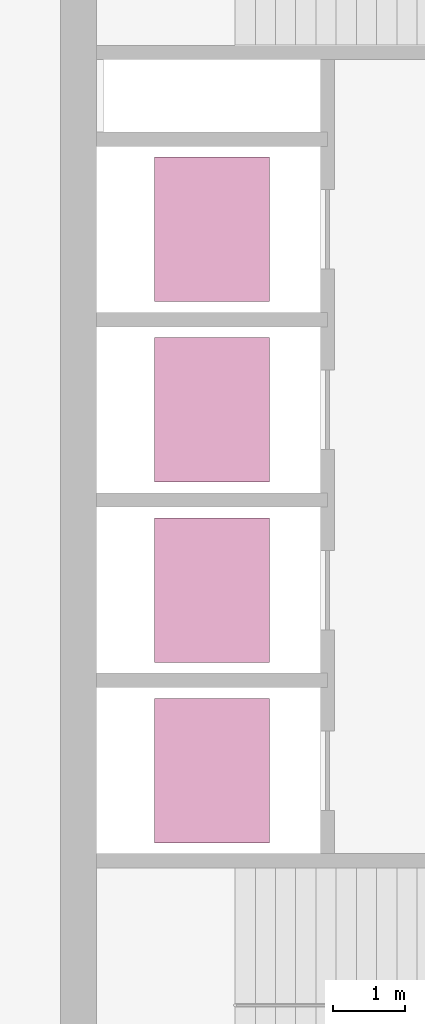
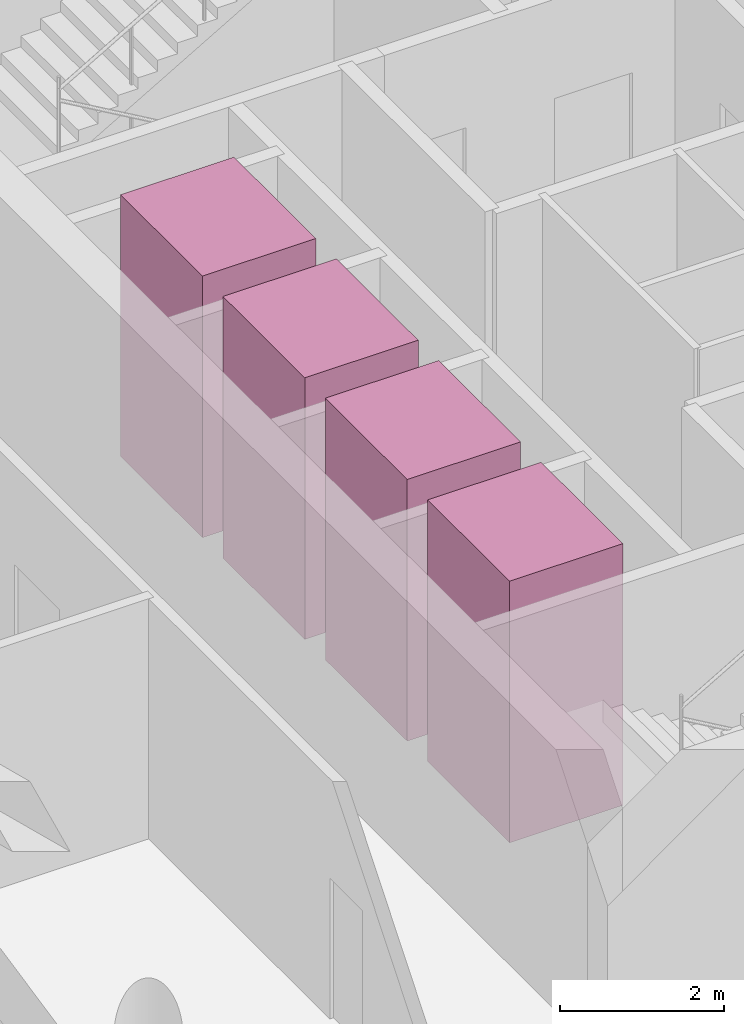
# One storey, part 8 of 8: 4 transport elements.
"""IFC4 building model written with IfcOpenShell, lengths in metres."""

from ifc_helpers import new_model, si_unit, direction, frame, origin, origin_2d, place, context, subcontext, project, spatial, rectangle, extrude, material, type_object, element, save


model = new_model("IFC4")

# Units and contexts
model_context = context("Model", 3, precision=1e-05, world=origin(), true_north=direction((0.0, 1.0)))
body_context = subcontext(model_context, "Body", "Model", "MODEL_VIEW")
ifc_project = project(units=[si_unit("LENGTHUNIT", "METRE"), si_unit("AREAUNIT", "SQUARE_METRE"), si_unit("VOLUMEUNIT", "CUBIC_METRE"), si_unit("PLANEANGLEUNIT", "RADIAN"), si_unit("MASSUNIT", "GRAM", prefix="KILO")], contexts=[model_context])

# Site, building, storey
site_placement = place(None, origin())
site = spatial("IfcSite", under=ifc_project, at=site_placement, CompositionType="ELEMENT")
building_placement = place(site_placement, origin())
building = spatial("IfcBuilding", under=site, at=building_placement, Name="Qaws Garden Tower", CompositionType="ELEMENT")
storey_placement = place(building_placement, frame((0.0, 0.0, 302.10009765625)))
storey = spatial("IfcBuildingStorey", under=building, at=storey_placement, Name="L73", CompositionType="ELEMENT", Elevation=302.10009765625)

# Transport elements
ifc_material = material(Name="Stainless steel 316", Category="steel")
transport_element_type = type_object("IfcTransportElementType", Name="Passenger lift car 2000x1600 1800 kg", PredefinedType="ELEVATOR", material=ifc_material)
for number, where, z_axis, x_axis, name in (
    (1, (10.10009765625, 13.64990234375, 0.0), (0.0, 0.0, 1.0), (1.0, 0.0, 0.0), "HR1"),
    (2, (10.10009765625, 16.14990234375, 0.0), (0.0, 0.0, 1.0), (1.0, 0.0, 0.0), "HR2"),
    (3, (10.10009765625, 18.64990234375, 0.0), (0.0, 0.0, 1.0), (1.0, 0.0, 0.0), "HR3"),
    (4, (10.10009765625, 21.14990234375, 0.0), (0.0, 0.0, 1.0), (1.0, 0.0, 0.0), "HR4"),
):
    element("IfcTransportElement", number, at=place(storey_placement, frame(where, z_axis=z_axis, x_axis=x_axis)), inside=storey, type_object=transport_element_type, Name=name, PredefinedType="ELEVATOR", context=body_context, shape_type="SweptSolid", body=[
        extrude(rectangle(XDim=1.60009765625, YDim=2.0, at=origin_2d()), origin(), (0.0, 0.0, 1.0), 3.89990234375),
    ])

save(model, "model.ifc")
